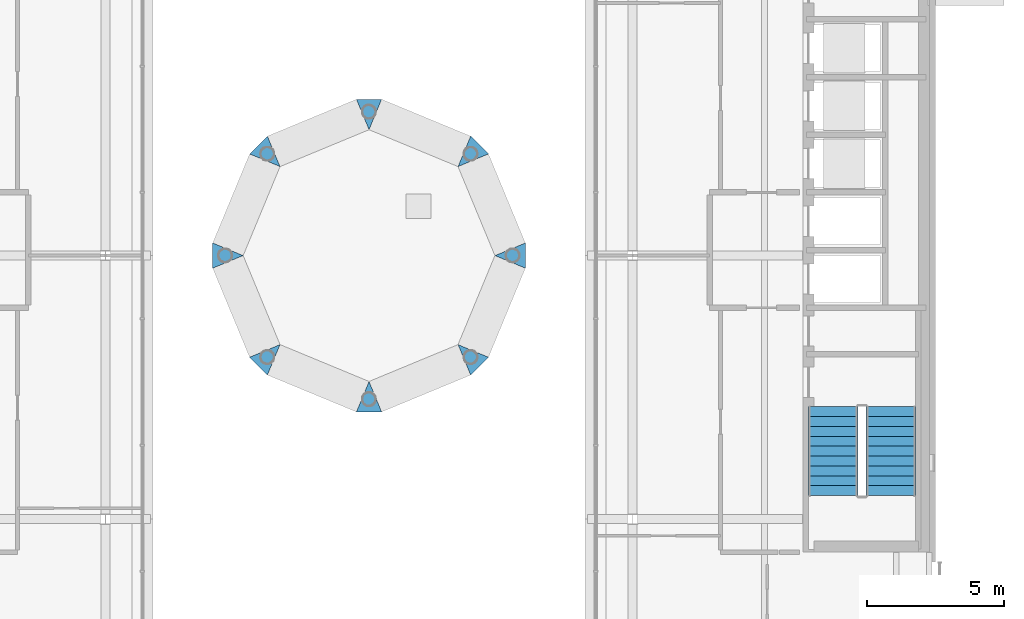
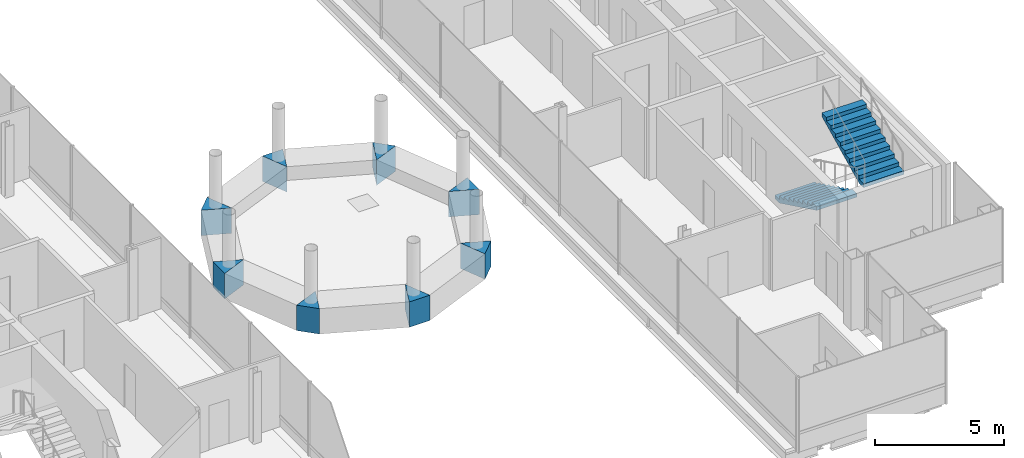
# One storey, part 14 of 16: 8 discrete accessories, 2 stair flights, 1 element without a shape of its own.
"""IFC4 building model written with IfcOpenShell, lengths in metres."""

from ifc_helpers import new_model, si_unit, direction, frame, origin, place, context, subcontext, project, spatial, polyline, outline, extrude, material, type_object, element, aggregate, save


model = new_model("IFC4")

# Units and contexts
model_context = context("Model", 3, precision=1e-05, world=origin(), true_north=direction((0.0, 1.0)))
body_context = subcontext(model_context, "Body", "Model", "MODEL_VIEW")
ifc_project = project(units=[si_unit("LENGTHUNIT", "METRE"), si_unit("AREAUNIT", "SQUARE_METRE"), si_unit("VOLUMEUNIT", "CUBIC_METRE"), si_unit("PLANEANGLEUNIT", "RADIAN"), si_unit("MASSUNIT", "GRAM", prefix="KILO")], contexts=[model_context])

# Site, building, storey
site_placement = place(None, origin())
site = spatial("IfcSite", under=ifc_project, at=site_placement, CompositionType="ELEMENT")
building_placement = place(site_placement, origin())
building = spatial("IfcBuilding", under=site, at=building_placement, Name="Cobrizo Arcos Hotel Tower", CompositionType="ELEMENT")
storey_placement = place(building_placement, frame((0.0, 0.0, 272.5)))
storey = spatial("IfcBuildingStorey", under=building, at=storey_placement, Name="L72", CompositionType="ELEMENT", Elevation=272.5)

# Stair, stair flights
ifc_material_1 = material(Name="Concrete f'c 40 MPa", Category="concrete")
stair_type = type_object("IfcStairType", Name="Exit stair", PredefinedType="HALF_TURN_STAIR", material=ifc_material_1)
stair_placement = place(storey_placement, origin())
stair = element("IfcStair", 1, at=stair_placement, inside=storey, type_object=stair_type, Name="L72 Exit stair ST-E", PredefinedType="HALF_TURN_STAIR")
stair_flight_type = type_object("IfcStairFlightType", Name="Exit stair flight", PredefinedType="STRAIGHT", material=ifc_material_1)
stair_flight_1_placement = place(storey_placement, frame((16.89990234375, -5.5, 0.0), z_axis=(0.0, 0.0, 1.0), x_axis=(0.0, -1.0, 0.0)))
stair_flight_1 = element("IfcStairFlight", 2, at=stair_flight_1_placement, type_object=stair_flight_type, Name="ST-E flight 1", NumberOfRisers=10, NumberOfTreads=9, PredefinedType="STRAIGHT", RiserHeight=0.175, TreadLength=0.36, context=body_context, shape_type="SweptSolid", body=[
    extrude(outline(polyline([(0.0, 0.0), (0.0, 0.175048828125), (0.360107421875, 0.175048828125), (0.360107421875, 0.35009765625), (0.719970703125, 0.35009765625), (0.719970703125, 0.52490234375), (1.080078125, 0.52490234375), (1.080078125, 0.699951171875), (1.43994140625, 0.699951171875), (1.43994140625, 0.875), (1.800048828125, 0.875), (1.800048828125, 1.050048828125), (2.159912109375, 1.050048828125), (2.159912109375, 1.22509765625), (2.52001953125, 1.22509765625), (2.52001953125, 1.39990234375), (2.8798828125, 1.39990234375), (2.8798828125, 1.574951171875), (3.239990234375, 1.574951171875), (3.239990234375, 1.75), (3.239990234375, 1.408203125), (0.3427734375, 0.0), (0.0, 0.0)])), frame((0.0, 0.89990234375, 0.0), z_axis=(0.0, -1.0, 0.0), x_axis=(1.0, 0.0, 0.0)), (0.0, 0.0, 1.0), 1.800048828125),
])
stair_flight_2_placement = place(storey_placement, frame((19.0, -8.739990234375, 1.75), z_axis=(0.0, 0.0, 1.0), x_axis=(0.0, 1.0, 0.0)))
stair_flight_2 = element("IfcStairFlight", 3, at=stair_flight_2_placement, type_object=stair_flight_type, Name="ST-E flight 2", NumberOfRisers=10, NumberOfTreads=9, PredefinedType="STRAIGHT", RiserHeight=0.175, TreadLength=0.36, context=body_context, shape_type="SweptSolid", body=[
    extrude(outline(polyline([(0.0, 0.0), (0.0, 0.175048828125), (0.360107421875, 0.175048828125), (0.360107421875, 0.35009765625), (0.719970703125, 0.35009765625), (0.719970703125, 0.52490234375), (1.080078125, 0.52490234375), (1.080078125, 0.699951171875), (1.43994140625, 0.699951171875), (1.43994140625, 0.875), (1.800048828125, 0.875), (1.800048828125, 1.050048828125), (2.159912109375, 1.050048828125), (2.159912109375, 1.22509765625), (2.52001953125, 1.22509765625), (2.52001953125, 1.39990234375), (2.8798828125, 1.39990234375), (2.8798828125, 1.574951171875), (3.239990234375, 1.574951171875), (3.239990234375, 1.75), (3.239990234375, 1.408203125), (0.3427734375, 0.0), (0.0, 0.0)])), frame((0.0, 0.89990234375, 0.0), z_axis=(0.0, -1.0, 0.0), x_axis=(1.0, 0.0, 0.0)), (0.0, 0.0, 1.0), 1.800048828125),
])
aggregate(stair, [stair_flight_1, stair_flight_2])

# Discrete accessories
ifc_material_2 = material(Name="Steel ASTM A572 Grade 50", Category="steel")
discrete_accessory_type = type_object("IfcDiscreteAccessoryType", Name="DN-1 drum corner node", PredefinedType="BRACKET", material=ifc_material_2)
discrete_accessory_1_placement = place(storey_placement, frame((0.0, 0.0, -0.199951171875)))
element("IfcDiscreteAccessory", 4, at=discrete_accessory_1_placement, inside=storey, type_object=discrete_accessory_type, Name="Drum corner node", PredefinedType="BRACKET", context=body_context, shape_type="SweptSolid", body=[
    extrude(outline(polyline([(5.69189453125, -0.459228515625), (4.583251953125, 0.0), (4.583251953125, 0.0), (5.69189453125, 0.459228515625), (5.69189453125, -0.459228515625)])), origin(), (0.0, 0.0, 1.0), 1.199951171875),
])
discrete_accessory_2_placement = place(storey_placement, frame((0.0, 0.0, -0.199951171875)))
element("IfcDiscreteAccessory", 5, at=discrete_accessory_2_placement, inside=storey, type_object=discrete_accessory_type, Name="Drum corner node", PredefinedType="BRACKET", context=body_context, shape_type="SweptSolid", body=[
    extrude(outline(polyline([(3.24072265625, 3.24072265625), (3.24072265625, 3.24072265625), (3.699951171875, 4.349365234375), (4.349365234375, 3.699951171875), (3.24072265625, 3.24072265625)])), origin(), (0.0, 0.0, 1.0), 1.199951171875),
])
discrete_accessory_3_placement = place(storey_placement, frame((0.0, 0.0, -0.199951171875)))
element("IfcDiscreteAccessory", 6, at=discrete_accessory_3_placement, inside=storey, type_object=discrete_accessory_type, Name="Drum corner node", PredefinedType="BRACKET", context=body_context, shape_type="SweptSolid", body=[
    extrude(outline(polyline([(0.0, 4.583251953125), (-0.459228515625, 5.69189453125), (0.459228515625, 5.69189453125), (0.0, 4.583251953125), (0.0, 4.583251953125)])), origin(), (0.0, 0.0, 1.0), 1.199951171875),
])
discrete_accessory_4_placement = place(storey_placement, frame((0.0, 0.0, -0.199951171875)))
element("IfcDiscreteAccessory", 7, at=discrete_accessory_4_placement, inside=storey, type_object=discrete_accessory_type, Name="Drum corner node", PredefinedType="BRACKET", context=body_context, shape_type="SweptSolid", body=[
    extrude(outline(polyline([(-3.24072265625, 3.24072265625), (-4.349365234375, 3.699951171875), (-3.699951171875, 4.349365234375), (-3.24072265625, 3.24072265625), (-3.24072265625, 3.24072265625)])), origin(), (0.0, 0.0, 1.0), 1.199951171875),
])
discrete_accessory_5_placement = place(storey_placement, frame((0.0, 0.0, -0.199951171875)))
element("IfcDiscreteAccessory", 8, at=discrete_accessory_5_placement, inside=storey, type_object=discrete_accessory_type, Name="Drum corner node", PredefinedType="BRACKET", context=body_context, shape_type="SweptSolid", body=[
    extrude(outline(polyline([(-5.69189453125, -0.459228515625), (-5.69189453125, 0.459228515625), (-4.583251953125, 0.0), (-4.583251953125, 0.0), (-5.69189453125, -0.459228515625)])), origin(), (0.0, 0.0, 1.0), 1.199951171875),
])
discrete_accessory_6_placement = place(storey_placement, frame((0.0, 0.0, -0.199951171875)))
element("IfcDiscreteAccessory", 9, at=discrete_accessory_6_placement, inside=storey, type_object=discrete_accessory_type, Name="Drum corner node", PredefinedType="BRACKET", context=body_context, shape_type="SweptSolid", body=[
    extrude(outline(polyline([(-3.699951171875, -4.349365234375), (-4.349365234375, -3.699951171875), (-3.24072265625, -3.24072265625), (-3.24072265625, -3.24072265625), (-3.699951171875, -4.349365234375)])), origin(), (0.0, 0.0, 1.0), 1.199951171875),
])
discrete_accessory_7_placement = place(storey_placement, frame((0.0, 0.0, -0.199951171875)))
element("IfcDiscreteAccessory", 10, at=discrete_accessory_7_placement, inside=storey, type_object=discrete_accessory_type, Name="Drum corner node", PredefinedType="BRACKET", context=body_context, shape_type="SweptSolid", body=[
    extrude(outline(polyline([(-0.459228515625, -5.69189453125), (0.0, -4.583251953125), (0.0, -4.583251953125), (0.459228515625, -5.69189453125), (-0.459228515625, -5.69189453125)])), origin(), (0.0, 0.0, 1.0), 1.199951171875),
])
discrete_accessory_8_placement = place(storey_placement, frame((0.0, 0.0, -0.199951171875)))
element("IfcDiscreteAccessory", 11, at=discrete_accessory_8_placement, inside=storey, type_object=discrete_accessory_type, Name="Drum corner node", PredefinedType="BRACKET", context=body_context, shape_type="SweptSolid", body=[
    extrude(outline(polyline([(3.699951171875, -4.349365234375), (3.24072265625, -3.24072265625), (3.24072265625, -3.24072265625), (4.349365234375, -3.699951171875), (3.699951171875, -4.349365234375)])), origin(), (0.0, 0.0, 1.0), 1.199951171875),
])

save(model, "model.ifc")
